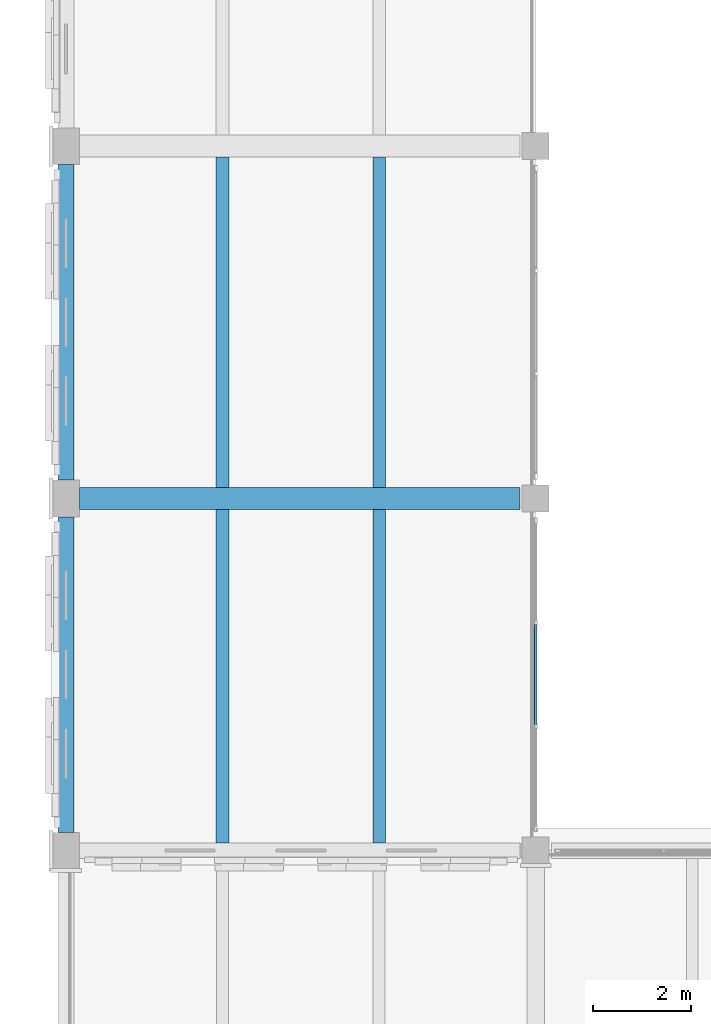
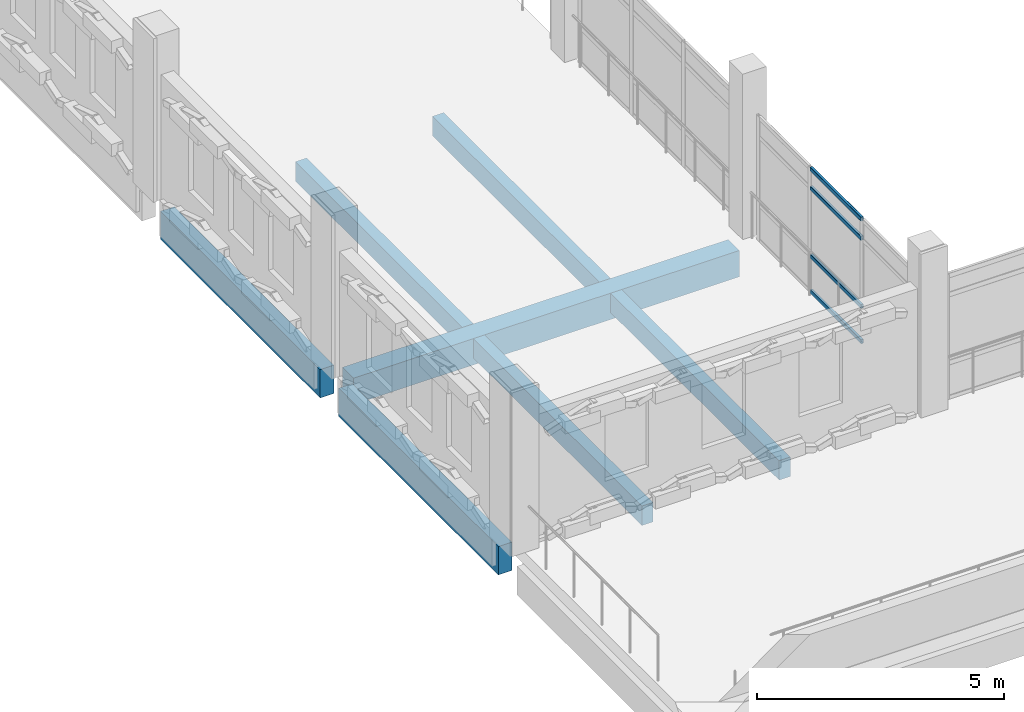
# One storey, part 14 of 50: 7 beams, 4 members, 1 element without a shape of its own.
"""IFC4 building model written with IfcOpenShell, lengths in metres."""

from ifc_helpers import new_model, si_unit, direction, frame, origin, origin_2d, place, context, subcontext, project, spatial, rectangle, hollow_rectangle, extrude, material, layer, layer_set, material_profile, profile_set, type_object, element, aggregate, save


model = new_model("IFC4")

# Units and contexts
model_context = context("Model", 3, precision=1e-05, world=origin(), true_north=direction((0.0, 1.0)))
body_context = subcontext(model_context, "Body", "Model", "MODEL_VIEW")
ifc_project = project(units=[si_unit("LENGTHUNIT", "METRE"), si_unit("AREAUNIT", "SQUARE_METRE"), si_unit("VOLUMEUNIT", "CUBIC_METRE"), si_unit("PLANEANGLEUNIT", "RADIAN"), si_unit("MASSUNIT", "GRAM", prefix="KILO")], contexts=[model_context])

# Site, building, storey
site_placement = place(None, origin())
site = spatial("IfcSite", under=ifc_project, at=site_placement, CompositionType="ELEMENT")
building_placement = place(site_placement, origin())
building = spatial("IfcBuilding", under=site, at=building_placement, Name="Asteropetra Specialist Clinic", CompositionType="ELEMENT")
storey_placement = place(building_placement, frame((0.0, 0.0, 16.659912109375)))
storey = spatial("IfcBuildingStorey", under=building, at=storey_placement, Name="L04", CompositionType="ELEMENT", Elevation=16.659912109375)

# Beam
ifc_material_1 = material(Name="Concrete C35/45", Category="concrete")
ifc_material_profile_1 = material_profile(ifc_material_1, rectangle(XDim=0.449951171875, YDim=0.64990234375, at=origin_2d()), Name="RCB 450x650")
ifc_profile_set_1 = profile_set([ifc_material_profile_1], Name="Concrete C35/45")
beam_type_1 = type_object("IfcBeamType", Name="BM-RC450x650", PredefinedType="BEAM", material=ifc_profile_set_1)
beam_placement = place(storey_placement, frame((0.27490234375, 84.0, -0.60498046875), z_axis=(1.0, 0.0, 0.0), x_axis=(0.0, 1.0, 0.0)))
element("IfcBeam", 1, at=beam_placement, inside=storey, type_object=beam_type_1, Name="Beam BBM06-1775", PredefinedType="BEAM", context=body_context, shape_type="SweptSolid", body=[
    extrude(rectangle(XDim=0.449951171875, YDim=0.64990234375, at=origin_2d()), origin(), (0.0, 0.0, 1.0), 9.0),
])

# Curtain wall, members
ifc_material_2 = material(Name="Aluminium and low-E glass", Category="aluminium")
ifc_layer = layer(ifc_material_2, 0.179931640625)
ifc_layer_set = layer_set([ifc_layer], Name="Aluminium and low-E glass")
curtain_wall_type = type_object("IfcCurtainWallType", Name="CW-SYS-04", PredefinedType="USERDEFINED", material=ifc_layer_set)
curtain_wall_placement = place(storey_placement, origin())
curtain_wall = element("IfcCurtainWall", 2, at=curtain_wall_placement, inside=storey, type_object=curtain_wall_type, Name="Curtain Wall CW-053", ObjectType="UNITISED CURTAIN WALL", PredefinedType="USERDEFINED")
ifc_material_3 = material(Name="Aluminium 6063-T6", Category="aluminium")
ifc_material_profile_2 = material_profile(ifc_material_3, hollow_rectangle(XDim=0.06005859375, YDim=0.10009765625, WallThickness=0.00341796875, InnerFilletRadius=0.00341796875, OuterFilletRadius=0.007080078125, at=origin_2d()), Name="TRN 100x60x3.5")
ifc_profile_set_2 = profile_set([ifc_material_profile_2], Name="Aluminium 6063-T6")
member_type = type_object("IfcMemberType", Name="CWT-100x60", PredefinedType="USERDEFINED", material=ifc_profile_set_2)
member_1_placement = place(storey_placement, frame((9.60009765625, 81.425048828125, 0.030029296875), z_axis=(0.0, -1.0, 0.0), x_axis=(1.0, 0.0, 0.0)))
member_1 = element("IfcMember", 3, at=member_1_placement, type_object=member_type, Name="CW-053 transom 2.1", ObjectType="TRANSOM", PredefinedType="USERDEFINED", context=body_context, shape_type="SweptSolid", body=[
    extrude(hollow_rectangle(XDim=0.06005859375, YDim=0.10009765625, WallThickness=0.00341796875, InnerFilletRadius=0.00341796875, OuterFilletRadius=0.007080078125, at=origin_2d()), origin(), (0.0, 0.0, 1.0), 2.050048828125),
])
member_2_placement = place(storey_placement, frame((9.60009765625, 81.425048828125, 0.900146484375), z_axis=(0.0, -1.0, 0.0), x_axis=(1.0, 0.0, 0.0)))
member_2 = element("IfcMember", 4, at=member_2_placement, type_object=member_type, Name="CW-053 transom 2.2", ObjectType="TRANSOM", PredefinedType="USERDEFINED", context=body_context, shape_type="SweptSolid", body=[
    extrude(hollow_rectangle(XDim=0.06005859375, YDim=0.10009765625, WallThickness=0.00341796875, InnerFilletRadius=0.00341796875, OuterFilletRadius=0.007080078125, at=origin_2d()), origin(), (0.0, 0.0, 1.0), 2.050048828125),
])
member_3_placement = place(storey_placement, frame((9.60009765625, 81.425048828125, 2.580078125), z_axis=(0.0, -1.0, 0.0), x_axis=(1.0, 0.0, 0.0)))
member_3 = element("IfcMember", 5, at=member_3_placement, type_object=member_type, Name="CW-053 transom 2.3", ObjectType="TRANSOM", PredefinedType="USERDEFINED", context=body_context, shape_type="SweptSolid", body=[
    extrude(hollow_rectangle(XDim=0.06005859375, YDim=0.10009765625, WallThickness=0.00341796875, InnerFilletRadius=0.00341796875, OuterFilletRadius=0.007080078125, at=origin_2d()), origin(), (0.0, 0.0, 1.0), 2.050048828125),
])
member_4_placement = place(storey_placement, frame((9.60009765625, 81.425048828125, 3.050048828125), z_axis=(0.0, -1.0, 0.0), x_axis=(1.0, 0.0, 0.0)))
member_4 = element("IfcMember", 6, at=member_4_placement, type_object=member_type, Name="CW-053 transom 2.4", ObjectType="TRANSOM", PredefinedType="USERDEFINED", context=body_context, shape_type="SweptSolid", body=[
    extrude(hollow_rectangle(XDim=0.06005859375, YDim=0.10009765625, WallThickness=0.00341796875, InnerFilletRadius=0.00341796875, OuterFilletRadius=0.007080078125, at=origin_2d()), origin(), (0.0, 0.0, 1.0), 2.050048828125),
])
aggregate(curtain_wall, [member_1, member_2, member_3, member_4])

# Beams
ifc_material_4 = material(Name="Concrete C35/45", Category="concrete")
ifc_material_profile_3 = material_profile(ifc_material_4, rectangle(XDim=0.260009765625, YDim=0.47998046875, at=origin_2d()), Name="RCJ 260x480")
ifc_profile_set_3 = profile_set([ifc_material_profile_3], Name="Concrete C35/45")
beam_type_2 = type_object("IfcBeamType", Name="JST-RC260x480", PredefinedType="JOIST", material=ifc_profile_set_3)
for number, where, z_axis, x_axis, name in (
    (7, (3.199951171875, 76.9599609375, -0.52001953125), (0.0, 1.0, 0.0), (-1.0, 0.0, 0.0), "Joist JJST02-1793"),
    (8, (6.39990234375, 76.9599609375, -0.52001953125), (0.0, 1.0, 0.0), (-1.0, 0.0, 0.0), "Joist JJST02-1794"),
):
    element("IfcBeam", number, at=place(storey_placement, frame(where, z_axis=z_axis, x_axis=x_axis)), inside=storey, type_object=beam_type_2, Name=name, PredefinedType="JOIST", context=body_context, shape_type="SweptSolid", body=[
        extrude(rectangle(XDim=0.260009765625, YDim=0.47998046875, at=origin_2d()), origin(), (0.0, 0.0, 1.0), 6.81494140625),
    ])
for number, where, z_axis, x_axis, name in (
    (9, (3.199951171875, 84.22509765625, -0.52001953125), (0.0, 1.0, 0.0), (-1.0, 0.0, 0.0), "Joist JJST02-1799"),
    (10, (6.39990234375, 84.22509765625, -0.52001953125), (0.0, 1.0, 0.0), (-1.0, 0.0, 0.0), "Joist JJST02-1800"),
):
    element("IfcBeam", number, at=place(storey_placement, frame(where, z_axis=z_axis, x_axis=x_axis)), inside=storey, type_object=beam_type_2, Name=name, PredefinedType="JOIST", context=body_context, shape_type="SweptSolid", body=[
        extrude(rectangle(XDim=0.260009765625, YDim=0.47998046875, at=origin_2d()), origin(), (0.0, 0.0, 1.0), 6.75),
    ])
ifc_material_5 = material(Name="Concrete C35/45", Category="concrete")
ifc_material_profile_4 = material_profile(ifc_material_5, rectangle(XDim=0.320068359375, YDim=0.699951171875, at=origin_2d()), Name="RCS 320x700")
ifc_profile_set_4 = profile_set([ifc_material_profile_4], Name="Concrete C35/45")
beam_type_3 = type_object("IfcBeamType", Name="SPN-RC320x700", PredefinedType="SPANDREL", material=ifc_profile_set_4)
for number, where, z_axis, x_axis, name in (
    (11, (0.0, 77.175048828125, -0.6298828125), (0.0, 1.0, 0.0), (-1.0, 0.0, 0.0), "Beam BSPN02-1791"),
    (12, (0.0, 84.375, -0.6298828125), (0.0, 1.0, 0.0), (-1.0, 0.0, 0.0), "Beam BSPN02-1797"),
):
    element("IfcBeam", number, at=place(storey_placement, frame(where, z_axis=z_axis, x_axis=x_axis)), inside=storey, type_object=beam_type_3, Name=name, PredefinedType="SPANDREL", context=body_context, shape_type="SweptSolid", body=[
        extrude(rectangle(XDim=0.320068359375, YDim=0.699951171875, at=origin_2d()), origin(), (0.0, 0.0, 1.0), 6.449951171875),
    ])

save(model, "model.ifc")
